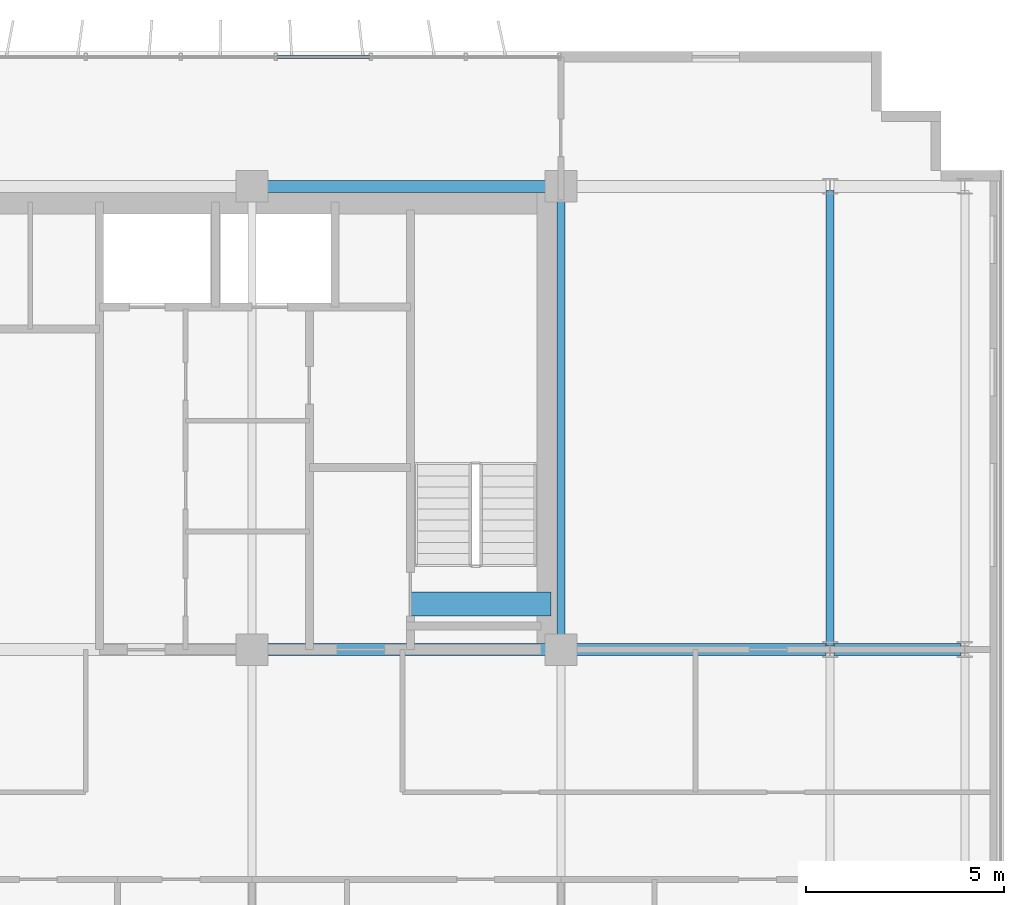
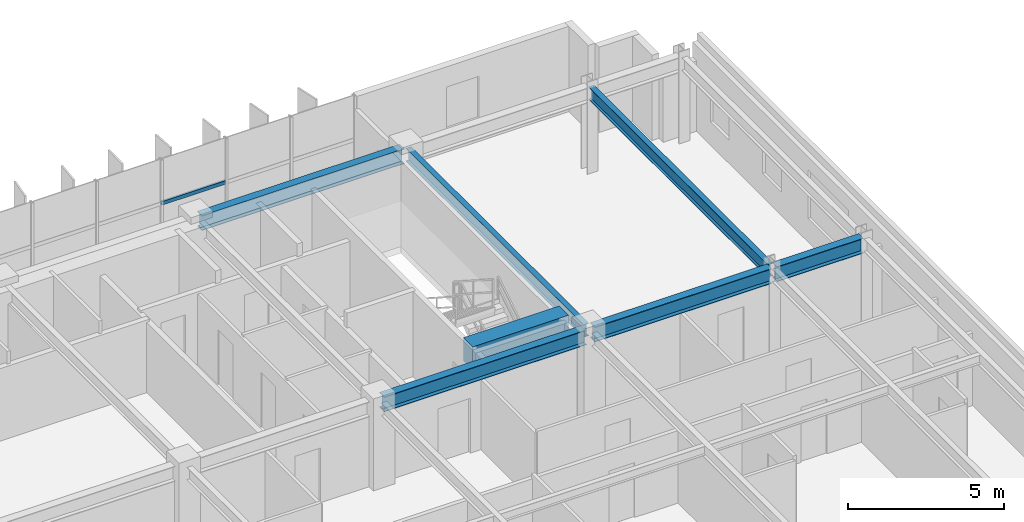
# One storey, part 10 of 22: 7 beams, 1 member, 1 element without a shape of its own.
"""IFC4 building model written with IfcOpenShell, lengths in metres."""

from ifc_helpers import new_model, si_unit, direction, frame, origin, origin_2d, place, context, subcontext, project, spatial, rectangle, hollow_rectangle, i_section, extrude, source, transform, mapped, material, material_profile, profile_set, type_object, element, aggregate, save


model = new_model("IFC4")

# Units and contexts
model_context = context("Model", 3, precision=1e-05, world=origin(), true_north=direction((0.0, 1.0)))
body_context = subcontext(model_context, "Body", "Model", "MODEL_VIEW")
ifc_project = project(units=[si_unit("LENGTHUNIT", "METRE"), si_unit("AREAUNIT", "SQUARE_METRE"), si_unit("VOLUMEUNIT", "CUBIC_METRE"), si_unit("PLANEANGLEUNIT", "RADIAN"), si_unit("MASSUNIT", "GRAM", prefix="KILO")], contexts=[model_context])

# Site, building, storey
site_placement = place(None, origin())
site = spatial("IfcSite", under=ifc_project, at=site_placement, CompositionType="ELEMENT")
building_placement = place(site_placement, origin())
building = spatial("IfcBuilding", under=site, at=building_placement, Name="Trelvane Seafront Commons", CompositionType="ELEMENT")
storey_placement = place(building_placement, frame((0.0, 0.0, 96.10009765625)))
storey = spatial("IfcBuildingStorey", under=building, at=storey_placement, Name="L24", CompositionType="ELEMENT", Elevation=96.10009765625)

# Beams
ifc_material_1 = material(Name="Concrete C60/75", Category="concrete")
ifc_material_profile_1 = material_profile(ifc_material_1, rectangle(XDim=0.60009765625, YDim=0.89990234375, at=origin_2d()), Name="RC-600x900")
ifc_profile_set_1 = profile_set([ifc_material_profile_1], Name="Concrete C60/75")
beam_type_1 = type_object("IfcBeamType", Name="STR-LNT-RC600x900", PredefinedType="LINTEL", material=ifc_profile_set_1)
shared_shape_1 = source(origin(), body_context, "Body", "SweptSolid", [
    extrude(rectangle(XDim=0.60009765625, YDim=0.89990234375, at=origin_2d()), origin(), (0.0, 0.0, 1.0), 3.550048828125),
])
beam_1_placement = place(storey_placement, frame((55.0, 34.550048828125, 2.889892578125), z_axis=(1.0, 0.0, 0.0), x_axis=(0.0, 1.0, 0.0)))
element("IfcBeam", 1, at=beam_1_placement, inside=storey, type_object=beam_type_1, Name="L24 Core Coupling Lintel Beam CB-86", PredefinedType="LINTEL", context=body_context, shape_type="MappedRepresentation", body=[
    mapped(shared_shape_1, transform((0.0, 0.0, 0.0), x_axis=(1.0, 0.0, 0.0), y_axis=(0.0, 1.0, 0.0), z_axis=(0.0, 0.0, 1.0), scale=1.0)),
])
ifc_material_2 = material(Name="Steel SM355 (S355)", Category="steel")
ifc_material_profile_2 = material_profile(ifc_material_2, i_section(OverallWidth=0.300048828125, OverallDepth=0.587890625, WebThickness=0.011962890625, FlangeThickness=0.02001953125, at=origin_2d()), Name="H-588x300x12x20")
ifc_profile_set_2 = profile_set([ifc_material_profile_2], Name="Steel SM355 (S355)")
beam_type_2 = type_object("IfcBeamType", Name="STR-BM-H588", PredefinedType="BEAM", material=ifc_profile_set_2)
shared_shape_2 = source(origin(), body_context, "Body", "SweptSolid", [
    extrude(i_section(OverallWidth=0.300048828125, OverallDepth=0.587890625, WebThickness=0.011962890625, FlangeThickness=0.02001953125, at=origin_2d()), origin(), (0.0, 0.0, 1.0), 3.199951171875),
])
beam_2_placement = place(storey_placement, frame((65.699951171875, 33.39990234375, 3.0458984375), z_axis=(1.0, 0.0, 0.0), x_axis=(0.0, 1.0, 0.0)))
element("IfcBeam", 2, at=beam_2_placement, inside=storey, type_object=beam_type_2, Name="L24 Primary Girder G-27", PredefinedType="BEAM", context=body_context, shape_type="MappedRepresentation", body=[
    mapped(shared_shape_2, transform((0.0, 0.0, 0.0), x_axis=(1.0, 0.0, 0.0), y_axis=(0.0, 1.0, 0.0), z_axis=(0.0, 0.0, 1.0), scale=1.0)),
])
shared_shape_3 = source(origin(), body_context, "Body", "SweptSolid", [
    extrude(i_section(OverallWidth=0.300048828125, OverallDepth=0.587890625, WebThickness=0.011962890625, FlangeThickness=0.02001953125, at=origin_2d()), origin(), (0.0, 0.0, 1.0), 6.550048828125),
])
beam_3_placement = place(storey_placement, frame((58.949951171875, 33.39990234375, 3.0458984375), z_axis=(1.0, 0.0, 0.0), x_axis=(0.0, 1.0, 0.0)))
element("IfcBeam", 3, at=beam_3_placement, inside=storey, type_object=beam_type_2, Name="L24 Primary Girder G-26", PredefinedType="BEAM", context=body_context, shape_type="MappedRepresentation", body=[
    mapped(shared_shape_3, transform((0.0, 0.0, 0.0), x_axis=(1.0, 0.0, 0.0), y_axis=(0.0, 1.0, 0.0), z_axis=(0.0, 0.0, 1.0), scale=1.0)),
])
shared_shape_4 = source(origin(), body_context, "Body", "SweptSolid", [
    extrude(i_section(OverallWidth=0.300048828125, OverallDepth=0.587890625, WebThickness=0.011962890625, FlangeThickness=0.02001953125, at=origin_2d()), origin(), (0.0, 0.0, 1.0), 7.5),
])
for number, where, z_axis, x_axis, name in (
    (4, (51.14990234375, 33.39990234375, 3.0458984375), (1.0, 0.0, 0.0), (0.0, 1.0, 0.0), "L24 Primary Girder G-25"),
    (5, (51.14990234375, 45.10009765625, 3.0458984375), (1.0, 0.0, 0.0), (0.0, 1.0, 0.0), "L24 Primary Girder G-34"),
):
    element("IfcBeam", number, at=place(storey_placement, frame(where, z_axis=z_axis, x_axis=x_axis)), inside=storey, type_object=beam_type_2, Name=name, PredefinedType="BEAM", context=body_context, shape_type="MappedRepresentation", body=[
        mapped(shared_shape_4, transform((0.0, 0.0, 0.0), x_axis=(1.0, 0.0, 0.0), y_axis=(0.0, 1.0, 0.0), z_axis=(0.0, 0.0, 1.0), scale=1.0)),
    ])
ifc_material_profile_3 = material_profile(ifc_material_2, i_section(OverallWidth=0.199951171875, OverallDepth=0.5, WebThickness=0.010009765625, FlangeThickness=0.01611328125, at=origin_2d()), Name="H-500x200x10x16")
ifc_profile_set_3 = profile_set([ifc_material_profile_3], Name="Steel SM355 (S355)")
beam_type_3 = type_object("IfcBeamType", Name="STR-BM-H500", PredefinedType="BEAM", material=ifc_profile_set_3)
shared_shape_5 = source(origin(), body_context, "Body", "SweptSolid", [
    extrude(i_section(OverallWidth=0.199951171875, OverallDepth=0.5, WebThickness=0.010009765625, FlangeThickness=0.01611328125, at=origin_2d()), origin(), (0.0, 0.0, 1.0), 11.5),
])
beam_4_placement = place(storey_placement, frame((65.60009765625, 33.5, 3.08984375), z_axis=(0.0, 1.0, 0.0), x_axis=(-1.0, 0.0, 0.0)))
element("IfcBeam", 6, at=beam_4_placement, inside=storey, type_object=beam_type_3, Name="L24 Primary Girder G-63", PredefinedType="BEAM", context=body_context, shape_type="MappedRepresentation", body=[
    mapped(shared_shape_5, transform((0.0, 0.0, 0.0), x_axis=(1.0, 0.0, 0.0), y_axis=(0.0, 1.0, 0.0), z_axis=(0.0, 0.0, 1.0), scale=1.0)),
])
shared_shape_6 = source(origin(), body_context, "Body", "SweptSolid", [
    extrude(i_section(OverallWidth=0.199951171875, OverallDepth=0.5, WebThickness=0.010009765625, FlangeThickness=0.01611328125, at=origin_2d()), origin(), (0.0, 0.0, 1.0), 11.39990234375),
])
beam_5_placement = place(storey_placement, frame((58.800048828125, 33.550048828125, 3.08984375), z_axis=(0.0, 1.0, 0.0), x_axis=(-1.0, 0.0, 0.0)))
element("IfcBeam", 7, at=beam_5_placement, inside=storey, type_object=beam_type_3, Name="L24 Primary Girder G-60", PredefinedType="BEAM", context=body_context, shape_type="MappedRepresentation", body=[
    mapped(shared_shape_6, transform((0.0, 0.0, 0.0), x_axis=(1.0, 0.0, 0.0), y_axis=(0.0, 1.0, 0.0), z_axis=(0.0, 0.0, 1.0), scale=1.0)),
])

# Curtain wall, member
ifc_material_3 = material(Name="Anodised pale-silver aluminium", Category="aluminium")
curtain_wall_type = type_object("IfcCurtainWallType", Name="ARCH-CW4-SKYLOBBY", PredefinedType="NOTDEFINED", material=ifc_material_3)
curtain_wall_placement = place(storey_placement, origin())
curtain_wall = element("IfcCurtainWall", 8, at=curtain_wall_placement, inside=storey, type_object=curtain_wall_type, Name="CW-L24-0049", PredefinedType="NOTDEFINED")
ifc_material_profile_4 = material_profile(ifc_material_3, hollow_rectangle(XDim=0.074951171875, YDim=0.139892578125, WallThickness=0.00390625, at=origin_2d()), Name="TRAN-75x140x4")
ifc_profile_set_4 = profile_set([ifc_material_profile_4], Name="Anodised pale-silver aluminium")
member_type = type_object("IfcMemberType", Name="ARCH-CW-TRAN-140", PredefinedType="USERDEFINED", material=ifc_profile_set_4)
shared_shape_7 = source(origin(), body_context, "Body", "SweptSolid", [
    extrude(hollow_rectangle(XDim=0.074951171875, YDim=0.139892578125, WallThickness=0.00390625, at=origin_2d()), origin(), (0.0, 0.0, 1.0), 2.3759765625),
])
member_placement = place(storey_placement, frame((51.612060546875, 48.3701171875, 1.602783203125), z_axis=(1.0, 0.0, 0.0), x_axis=(0.0, 1.0, 0.0)))
member = element("IfcMember", 9, at=member_placement, type_object=member_type, Name="CW-L24-0049-T15", ObjectType="TRANSOM", PredefinedType="USERDEFINED", context=body_context, shape_type="MappedRepresentation", body=[
    mapped(shared_shape_7, transform((0.0, 0.0, 0.0), x_axis=(1.0, 0.0, 0.0), y_axis=(0.0, 1.0, 0.0), z_axis=(0.0, 0.0, 1.0), scale=1.0)),
])
aggregate(curtain_wall, [member])

save(model, "model.ifc")
